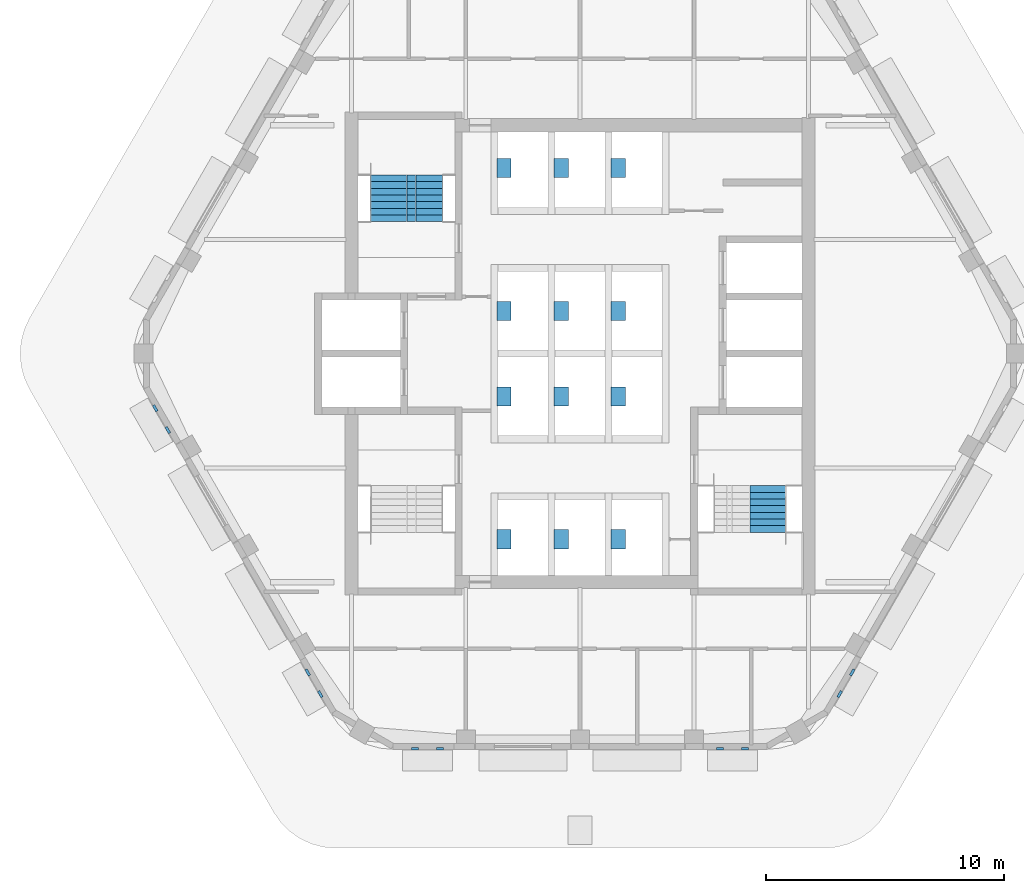
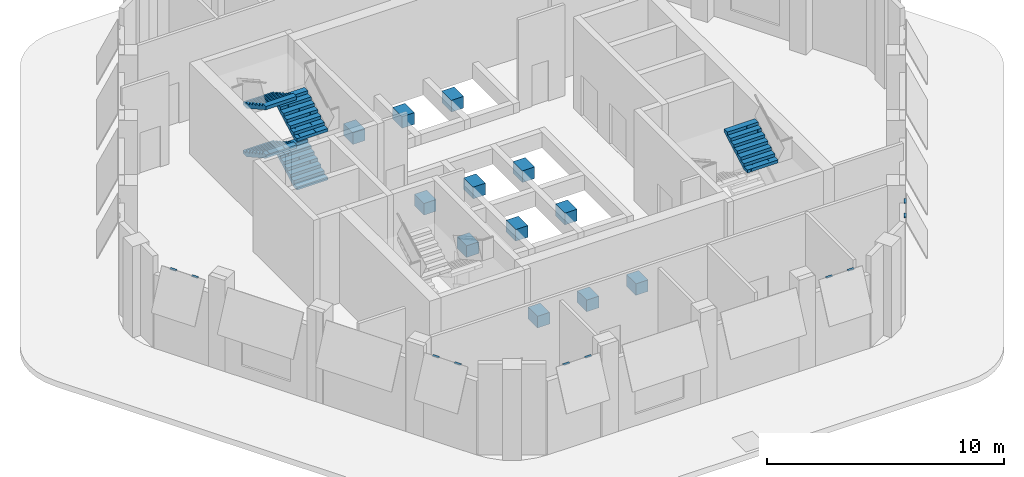
# One storey, part 7 of 9: 22 discrete accessories, 5 stair flights, 2 elements without a shape of their own.
"""IFC4 building model written with IfcOpenShell, lengths in metres."""

from ifc_helpers import new_model, si_unit, direction, frame, origin, origin_2d, place, context, subcontext, project, spatial, polyline, rectangle, outline, extrude, material, type_object, element, aggregate, save


model = new_model("IFC4")

# Units and contexts
model_context = context("Model", 3, precision=1e-05, world=origin(), true_north=direction((0.0, 1.0)))
body_context = subcontext(model_context, "Body", "Model", "MODEL_VIEW")
ifc_project = project(units=[si_unit("LENGTHUNIT", "METRE"), si_unit("AREAUNIT", "SQUARE_METRE"), si_unit("VOLUMEUNIT", "CUBIC_METRE"), si_unit("PLANEANGLEUNIT", "RADIAN"), si_unit("MASSUNIT", "GRAM", prefix="KILO")], contexts=[model_context])

# Site, building, storey
site_placement = place(None, origin())
site = spatial("IfcSite", under=ifc_project, at=site_placement, CompositionType="ELEMENT")
building_placement = place(site_placement, origin())
building = spatial("IfcBuilding", under=site, at=building_placement, Name="Kolab Exchange Tower", CompositionType="ELEMENT")
storey_placement = place(building_placement, frame((0.0, 0.0, 296.89990234375)))
storey = spatial("IfcBuildingStorey", under=building, at=storey_placement, Name="L67", CompositionType="ELEMENT", Elevation=296.89990234375)

# Stair, stair flights
ifc_material = material(Name="Concrete C50/60", Category="concrete")
stair_type_1 = type_object("IfcStairType", Name="STAIR ST1 RISER 156.2", PredefinedType="DOUBLE_RETURN_STAIR", material=ifc_material)
stair_1_placement = place(storey_placement, origin())
stair_1 = element("IfcStair", 1, at=stair_1_placement, inside=storey, type_object=stair_type_1, Name="Stair 1", PredefinedType="DOUBLE_RETURN_STAIR")
stair_flight_type = type_object("IfcStairFlightType", Name="STAIR FLIGHT 1500 RISER 156.2", PredefinedType="STRAIGHT", material=ifc_material)
stair_flight_1_placement = place(storey_placement, frame((-6.527587890625, 5.550048828125, 0.0), z_axis=(0.0, 0.0, 1.0), x_axis=(0.0, 1.0, 0.0)))
stair_flight_1 = element("IfcStairFlight", 2, at=stair_flight_1_placement, type_object=stair_flight_type, Name="ST1 flight 1", NumberOfRisers=8, NumberOfTreads=7, PredefinedType="STRAIGHT", RiserHeight=0.15625, TreadLength=0.28, context=body_context, shape_type="SweptSolid", body=[
    extrude(outline(polyline([(0.0, 0.0), (0.0, 0.15625), (0.280029296875, 0.15625), (0.280029296875, 0.3125), (0.56005859375, 0.3125), (0.56005859375, 0.46875), (0.840087890625, 0.46875), (0.840087890625, 0.625), (1.1201171875, 0.625), (1.1201171875, 0.78125), (1.39990234375, 0.78125), (1.39990234375, 0.9375), (1.679931640625, 0.9375), (1.679931640625, 1.09375), (1.9599609375, 1.09375), (1.9599609375, 1.25), (1.9599609375, 0.922119140625), (0.3076171875, 0.0), (0.0, 0.0)])), frame((0.0, 0.75, 0.0), z_axis=(0.0, -1.0, 0.0), x_axis=(1.0, 0.0, 0.0)), (0.0, 0.0, 1.0), 0.185791015625),
    extrude(outline(polyline([(0.0, 0.0), (0.0, 0.15625), (0.280029296875, 0.15625), (0.280029296875, 0.3125), (0.56005859375, 0.3125), (0.56005859375, 0.46875), (0.840087890625, 0.46875), (0.840087890625, 0.625), (1.1201171875, 0.625), (1.1201171875, 0.78125), (1.39990234375, 0.78125), (1.39990234375, 0.9375), (1.679931640625, 0.9375), (1.679931640625, 1.09375), (1.9599609375, 1.09375), (1.9599609375, 1.25), (1.9599609375, 0.922119140625), (0.3076171875, 0.0), (0.0, 0.0)])), frame((0.0, 0.562255859375, 0.0), z_axis=(0.0, -1.0, 0.0), x_axis=(1.0, 0.0, 0.0)), (0.0, 0.0, 1.0), 0.185791015625),
    extrude(outline(polyline([(0.0, 0.0), (0.0, 0.15625), (0.280029296875, 0.15625), (0.280029296875, 0.3125), (0.56005859375, 0.3125), (0.56005859375, 0.46875), (0.840087890625, 0.46875), (0.840087890625, 0.625), (1.1201171875, 0.625), (1.1201171875, 0.78125), (1.39990234375, 0.78125), (1.39990234375, 0.9375), (1.679931640625, 0.9375), (1.679931640625, 1.09375), (1.9599609375, 1.09375), (1.9599609375, 1.25), (1.9599609375, 0.922119140625), (0.3076171875, 0.0), (0.0, 0.0)])), frame((0.0, 0.37451171875, 0.0), z_axis=(0.0, -1.0, 0.0), x_axis=(1.0, 0.0, 0.0)), (0.0, 0.0, 1.0), 0.185791015625),
    extrude(outline(polyline([(0.0, 0.0), (0.0, 0.15625), (0.280029296875, 0.15625), (0.280029296875, 0.3125), (0.56005859375, 0.3125), (0.56005859375, 0.46875), (0.840087890625, 0.46875), (0.840087890625, 0.625), (1.1201171875, 0.625), (1.1201171875, 0.78125), (1.39990234375, 0.78125), (1.39990234375, 0.9375), (1.679931640625, 0.9375), (1.679931640625, 1.09375), (1.9599609375, 1.09375), (1.9599609375, 1.25), (1.9599609375, 0.922119140625), (0.3076171875, 0.0), (0.0, 0.0)])), frame((0.0, 0.186767578125, 0.0), z_axis=(0.0, -1.0, 0.0), x_axis=(1.0, 0.0, 0.0)), (0.0, 0.0, 1.0), 0.185791015625),
    extrude(outline(polyline([(0.0, 0.0), (0.0, 0.15625), (0.280029296875, 0.15625), (0.280029296875, 0.3125), (0.56005859375, 0.3125), (0.56005859375, 0.46875), (0.840087890625, 0.46875), (0.840087890625, 0.625), (1.1201171875, 0.625), (1.1201171875, 0.78125), (1.39990234375, 0.78125), (1.39990234375, 0.9375), (1.679931640625, 0.9375), (1.679931640625, 1.09375), (1.9599609375, 1.09375), (1.9599609375, 1.25), (1.9599609375, 0.922119140625), (0.3076171875, 0.0), (0.0, 0.0)])), frame((0.0, -0.0009765625, 0.0), z_axis=(0.0, -1.0, 0.0), x_axis=(1.0, 0.0, 0.0)), (0.0, 0.0, 1.0), 0.185791015625),
    extrude(outline(polyline([(0.0, 0.0), (0.0, 0.15625), (0.280029296875, 0.15625), (0.280029296875, 0.3125), (0.56005859375, 0.3125), (0.56005859375, 0.46875), (0.840087890625, 0.46875), (0.840087890625, 0.625), (1.1201171875, 0.625), (1.1201171875, 0.78125), (1.39990234375, 0.78125), (1.39990234375, 0.9375), (1.679931640625, 0.9375), (1.679931640625, 1.09375), (1.9599609375, 1.09375), (1.9599609375, 1.25), (1.9599609375, 0.922119140625), (0.3076171875, 0.0), (0.0, 0.0)])), frame((0.0, -0.188720703125, 0.0), z_axis=(0.0, -1.0, 0.0), x_axis=(1.0, 0.0, 0.0)), (0.0, 0.0, 1.0), 0.185791015625),
    extrude(outline(polyline([(0.0, 0.0), (0.0, 0.15625), (0.280029296875, 0.15625), (0.280029296875, 0.3125), (0.56005859375, 0.3125), (0.56005859375, 0.46875), (0.840087890625, 0.46875), (0.840087890625, 0.625), (1.1201171875, 0.625), (1.1201171875, 0.78125), (1.39990234375, 0.78125), (1.39990234375, 0.9375), (1.679931640625, 0.9375), (1.679931640625, 1.09375), (1.9599609375, 1.09375), (1.9599609375, 1.25), (1.9599609375, 0.922119140625), (0.3076171875, 0.0), (0.0, 0.0)])), frame((0.0, -0.37646484375, 0.0), z_axis=(0.0, -1.0, 0.0), x_axis=(1.0, 0.0, 0.0)), (0.0, 0.0, 1.0), 0.185791015625),
    extrude(outline(polyline([(0.0, 0.0), (0.0, 0.15625), (0.280029296875, 0.15625), (0.280029296875, 0.3125), (0.56005859375, 0.3125), (0.56005859375, 0.46875), (0.840087890625, 0.46875), (0.840087890625, 0.625), (1.1201171875, 0.625), (1.1201171875, 0.78125), (1.39990234375, 0.78125), (1.39990234375, 0.9375), (1.679931640625, 0.9375), (1.679931640625, 1.09375), (1.9599609375, 1.09375), (1.9599609375, 1.25), (1.9599609375, 0.922119140625), (0.3076171875, 0.0), (0.0, 0.0)])), frame((0.0, -0.564208984375, 0.0), z_axis=(0.0, -1.0, 0.0), x_axis=(1.0, 0.0, 0.0)), (0.0, 0.0, 1.0), 0.185791015625),
])
stair_flight_2_placement = place(storey_placement, frame((-8.047607421875, 7.510009765625, 1.25), z_axis=(0.0, 0.0, 1.0), x_axis=(0.0, -1.0, 0.0)))
stair_flight_2 = element("IfcStairFlight", 3, at=stair_flight_2_placement, type_object=stair_flight_type, Name="ST1 flight 2", NumberOfRisers=8, NumberOfTreads=7, PredefinedType="STRAIGHT", RiserHeight=0.15625, TreadLength=0.28, context=body_context, shape_type="SweptSolid", body=[
    extrude(outline(polyline([(0.0, 0.0), (0.0, 0.15625), (0.280029296875, 0.15625), (0.280029296875, 0.3125), (0.56005859375, 0.3125), (0.56005859375, 0.46875), (0.840087890625, 0.46875), (0.840087890625, 0.625), (1.1201171875, 0.625), (1.1201171875, 0.78125), (1.39990234375, 0.78125), (1.39990234375, 0.9375), (1.679931640625, 0.9375), (1.679931640625, 1.09375), (1.9599609375, 1.09375), (1.9599609375, 1.25), (1.9599609375, 0.922119140625), (0.3076171875, 0.0), (0.0, 0.0)])), frame((0.0, 0.75, 0.0), z_axis=(0.0, -1.0, 0.0), x_axis=(1.0, 0.0, 0.0)), (0.0, 0.0, 1.0), 0.185791015625),
    extrude(outline(polyline([(0.0, 0.0), (0.0, 0.15625), (0.280029296875, 0.15625), (0.280029296875, 0.3125), (0.56005859375, 0.3125), (0.56005859375, 0.46875), (0.840087890625, 0.46875), (0.840087890625, 0.625), (1.1201171875, 0.625), (1.1201171875, 0.78125), (1.39990234375, 0.78125), (1.39990234375, 0.9375), (1.679931640625, 0.9375), (1.679931640625, 1.09375), (1.9599609375, 1.09375), (1.9599609375, 1.25), (1.9599609375, 0.922119140625), (0.3076171875, 0.0), (0.0, 0.0)])), frame((0.0, 0.562255859375, 0.0), z_axis=(0.0, -1.0, 0.0), x_axis=(1.0, 0.0, 0.0)), (0.0, 0.0, 1.0), 0.185791015625),
    extrude(outline(polyline([(0.0, 0.0), (0.0, 0.15625), (0.280029296875, 0.15625), (0.280029296875, 0.3125), (0.56005859375, 0.3125), (0.56005859375, 0.46875), (0.840087890625, 0.46875), (0.840087890625, 0.625), (1.1201171875, 0.625), (1.1201171875, 0.78125), (1.39990234375, 0.78125), (1.39990234375, 0.9375), (1.679931640625, 0.9375), (1.679931640625, 1.09375), (1.9599609375, 1.09375), (1.9599609375, 1.25), (1.9599609375, 0.922119140625), (0.3076171875, 0.0), (0.0, 0.0)])), frame((0.0, 0.37451171875, 0.0), z_axis=(0.0, -1.0, 0.0), x_axis=(1.0, 0.0, 0.0)), (0.0, 0.0, 1.0), 0.185791015625),
    extrude(outline(polyline([(0.0, 0.0), (0.0, 0.15625), (0.280029296875, 0.15625), (0.280029296875, 0.3125), (0.56005859375, 0.3125), (0.56005859375, 0.46875), (0.840087890625, 0.46875), (0.840087890625, 0.625), (1.1201171875, 0.625), (1.1201171875, 0.78125), (1.39990234375, 0.78125), (1.39990234375, 0.9375), (1.679931640625, 0.9375), (1.679931640625, 1.09375), (1.9599609375, 1.09375), (1.9599609375, 1.25), (1.9599609375, 0.922119140625), (0.3076171875, 0.0), (0.0, 0.0)])), frame((0.0, 0.186767578125, 0.0), z_axis=(0.0, -1.0, 0.0), x_axis=(1.0, 0.0, 0.0)), (0.0, 0.0, 1.0), 0.185791015625),
    extrude(outline(polyline([(0.0, 0.0), (0.0, 0.15625), (0.280029296875, 0.15625), (0.280029296875, 0.3125), (0.56005859375, 0.3125), (0.56005859375, 0.46875), (0.840087890625, 0.46875), (0.840087890625, 0.625), (1.1201171875, 0.625), (1.1201171875, 0.78125), (1.39990234375, 0.78125), (1.39990234375, 0.9375), (1.679931640625, 0.9375), (1.679931640625, 1.09375), (1.9599609375, 1.09375), (1.9599609375, 1.25), (1.9599609375, 0.922119140625), (0.3076171875, 0.0), (0.0, 0.0)])), frame((0.0, -0.0009765625, 0.0), z_axis=(0.0, -1.0, 0.0), x_axis=(1.0, 0.0, 0.0)), (0.0, 0.0, 1.0), 0.185791015625),
    extrude(outline(polyline([(0.0, 0.0), (0.0, 0.15625), (0.280029296875, 0.15625), (0.280029296875, 0.3125), (0.56005859375, 0.3125), (0.56005859375, 0.46875), (0.840087890625, 0.46875), (0.840087890625, 0.625), (1.1201171875, 0.625), (1.1201171875, 0.78125), (1.39990234375, 0.78125), (1.39990234375, 0.9375), (1.679931640625, 0.9375), (1.679931640625, 1.09375), (1.9599609375, 1.09375), (1.9599609375, 1.25), (1.9599609375, 0.922119140625), (0.3076171875, 0.0), (0.0, 0.0)])), frame((0.0, -0.188720703125, 0.0), z_axis=(0.0, -1.0, 0.0), x_axis=(1.0, 0.0, 0.0)), (0.0, 0.0, 1.0), 0.185791015625),
    extrude(outline(polyline([(0.0, 0.0), (0.0, 0.15625), (0.280029296875, 0.15625), (0.280029296875, 0.3125), (0.56005859375, 0.3125), (0.56005859375, 0.46875), (0.840087890625, 0.46875), (0.840087890625, 0.625), (1.1201171875, 0.625), (1.1201171875, 0.78125), (1.39990234375, 0.78125), (1.39990234375, 0.9375), (1.679931640625, 0.9375), (1.679931640625, 1.09375), (1.9599609375, 1.09375), (1.9599609375, 1.25), (1.9599609375, 0.922119140625), (0.3076171875, 0.0), (0.0, 0.0)])), frame((0.0, -0.37646484375, 0.0), z_axis=(0.0, -1.0, 0.0), x_axis=(1.0, 0.0, 0.0)), (0.0, 0.0, 1.0), 0.185791015625),
    extrude(outline(polyline([(0.0, 0.0), (0.0, 0.15625), (0.280029296875, 0.15625), (0.280029296875, 0.3125), (0.56005859375, 0.3125), (0.56005859375, 0.46875), (0.840087890625, 0.46875), (0.840087890625, 0.625), (1.1201171875, 0.625), (1.1201171875, 0.78125), (1.39990234375, 0.78125), (1.39990234375, 0.9375), (1.679931640625, 0.9375), (1.679931640625, 1.09375), (1.9599609375, 1.09375), (1.9599609375, 1.25), (1.9599609375, 0.922119140625), (0.3076171875, 0.0), (0.0, 0.0)])), frame((0.0, -0.564208984375, 0.0), z_axis=(0.0, -1.0, 0.0), x_axis=(1.0, 0.0, 0.0)), (0.0, 0.0, 1.0), 0.185791015625),
])
stair_flight_3_placement = place(storey_placement, frame((-6.527587890625, 5.550048828125, 2.5), z_axis=(0.0, 0.0, 1.0), x_axis=(0.0, 1.0, 0.0)))
stair_flight_3 = element("IfcStairFlight", 4, at=stair_flight_3_placement, type_object=stair_flight_type, Name="ST1 flight 3", NumberOfRisers=8, NumberOfTreads=7, PredefinedType="STRAIGHT", RiserHeight=0.15625, TreadLength=0.28, context=body_context, shape_type="SweptSolid", body=[
    extrude(outline(polyline([(0.0, 0.0), (0.0, 0.15625), (0.280029296875, 0.15625), (0.280029296875, 0.3125), (0.56005859375, 0.3125), (0.56005859375, 0.46875), (0.840087890625, 0.46875), (0.840087890625, 0.625), (1.1201171875, 0.625), (1.1201171875, 0.78125), (1.39990234375, 0.78125), (1.39990234375, 0.9375), (1.679931640625, 0.9375), (1.679931640625, 1.09375), (1.9599609375, 1.09375), (1.9599609375, 1.25), (1.9599609375, 0.922119140625), (0.3076171875, 0.0), (0.0, 0.0)])), frame((0.0, 0.75, 0.0), z_axis=(0.0, -1.0, 0.0), x_axis=(1.0, 0.0, 0.0)), (0.0, 0.0, 1.0), 0.185791015625),
    extrude(outline(polyline([(0.0, 0.0), (0.0, 0.15625), (0.280029296875, 0.15625), (0.280029296875, 0.3125), (0.56005859375, 0.3125), (0.56005859375, 0.46875), (0.840087890625, 0.46875), (0.840087890625, 0.625), (1.1201171875, 0.625), (1.1201171875, 0.78125), (1.39990234375, 0.78125), (1.39990234375, 0.9375), (1.679931640625, 0.9375), (1.679931640625, 1.09375), (1.9599609375, 1.09375), (1.9599609375, 1.25), (1.9599609375, 0.922119140625), (0.3076171875, 0.0), (0.0, 0.0)])), frame((0.0, 0.562255859375, 0.0), z_axis=(0.0, -1.0, 0.0), x_axis=(1.0, 0.0, 0.0)), (0.0, 0.0, 1.0), 0.185791015625),
    extrude(outline(polyline([(0.0, 0.0), (0.0, 0.15625), (0.280029296875, 0.15625), (0.280029296875, 0.3125), (0.56005859375, 0.3125), (0.56005859375, 0.46875), (0.840087890625, 0.46875), (0.840087890625, 0.625), (1.1201171875, 0.625), (1.1201171875, 0.78125), (1.39990234375, 0.78125), (1.39990234375, 0.9375), (1.679931640625, 0.9375), (1.679931640625, 1.09375), (1.9599609375, 1.09375), (1.9599609375, 1.25), (1.9599609375, 0.922119140625), (0.3076171875, 0.0), (0.0, 0.0)])), frame((0.0, 0.37451171875, 0.0), z_axis=(0.0, -1.0, 0.0), x_axis=(1.0, 0.0, 0.0)), (0.0, 0.0, 1.0), 0.185791015625),
    extrude(outline(polyline([(0.0, 0.0), (0.0, 0.15625), (0.280029296875, 0.15625), (0.280029296875, 0.3125), (0.56005859375, 0.3125), (0.56005859375, 0.46875), (0.840087890625, 0.46875), (0.840087890625, 0.625), (1.1201171875, 0.625), (1.1201171875, 0.78125), (1.39990234375, 0.78125), (1.39990234375, 0.9375), (1.679931640625, 0.9375), (1.679931640625, 1.09375), (1.9599609375, 1.09375), (1.9599609375, 1.25), (1.9599609375, 0.922119140625), (0.3076171875, 0.0), (0.0, 0.0)])), frame((0.0, 0.186767578125, 0.0), z_axis=(0.0, -1.0, 0.0), x_axis=(1.0, 0.0, 0.0)), (0.0, 0.0, 1.0), 0.185791015625),
    extrude(outline(polyline([(0.0, 0.0), (0.0, 0.15625), (0.280029296875, 0.15625), (0.280029296875, 0.3125), (0.56005859375, 0.3125), (0.56005859375, 0.46875), (0.840087890625, 0.46875), (0.840087890625, 0.625), (1.1201171875, 0.625), (1.1201171875, 0.78125), (1.39990234375, 0.78125), (1.39990234375, 0.9375), (1.679931640625, 0.9375), (1.679931640625, 1.09375), (1.9599609375, 1.09375), (1.9599609375, 1.25), (1.9599609375, 0.922119140625), (0.3076171875, 0.0), (0.0, 0.0)])), frame((0.0, -0.0009765625, 0.0), z_axis=(0.0, -1.0, 0.0), x_axis=(1.0, 0.0, 0.0)), (0.0, 0.0, 1.0), 0.185791015625),
    extrude(outline(polyline([(0.0, 0.0), (0.0, 0.15625), (0.280029296875, 0.15625), (0.280029296875, 0.3125), (0.56005859375, 0.3125), (0.56005859375, 0.46875), (0.840087890625, 0.46875), (0.840087890625, 0.625), (1.1201171875, 0.625), (1.1201171875, 0.78125), (1.39990234375, 0.78125), (1.39990234375, 0.9375), (1.679931640625, 0.9375), (1.679931640625, 1.09375), (1.9599609375, 1.09375), (1.9599609375, 1.25), (1.9599609375, 0.922119140625), (0.3076171875, 0.0), (0.0, 0.0)])), frame((0.0, -0.188720703125, 0.0), z_axis=(0.0, -1.0, 0.0), x_axis=(1.0, 0.0, 0.0)), (0.0, 0.0, 1.0), 0.185791015625),
    extrude(outline(polyline([(0.0, 0.0), (0.0, 0.15625), (0.280029296875, 0.15625), (0.280029296875, 0.3125), (0.56005859375, 0.3125), (0.56005859375, 0.46875), (0.840087890625, 0.46875), (0.840087890625, 0.625), (1.1201171875, 0.625), (1.1201171875, 0.78125), (1.39990234375, 0.78125), (1.39990234375, 0.9375), (1.679931640625, 0.9375), (1.679931640625, 1.09375), (1.9599609375, 1.09375), (1.9599609375, 1.25), (1.9599609375, 0.922119140625), (0.3076171875, 0.0), (0.0, 0.0)])), frame((0.0, -0.37646484375, 0.0), z_axis=(0.0, -1.0, 0.0), x_axis=(1.0, 0.0, 0.0)), (0.0, 0.0, 1.0), 0.185791015625),
    extrude(outline(polyline([(0.0, 0.0), (0.0, 0.15625), (0.280029296875, 0.15625), (0.280029296875, 0.3125), (0.56005859375, 0.3125), (0.56005859375, 0.46875), (0.840087890625, 0.46875), (0.840087890625, 0.625), (1.1201171875, 0.625), (1.1201171875, 0.78125), (1.39990234375, 0.78125), (1.39990234375, 0.9375), (1.679931640625, 0.9375), (1.679931640625, 1.09375), (1.9599609375, 1.09375), (1.9599609375, 1.25), (1.9599609375, 0.922119140625), (0.3076171875, 0.0), (0.0, 0.0)])), frame((0.0, -0.564208984375, 0.0), z_axis=(0.0, -1.0, 0.0), x_axis=(1.0, 0.0, 0.0)), (0.0, 0.0, 1.0), 0.185791015625),
])
stair_flight_4_placement = place(storey_placement, frame((-8.047607421875, 7.510009765625, 3.75), z_axis=(0.0, 0.0, 1.0), x_axis=(0.0, -1.0, 0.0)))
stair_flight_4 = element("IfcStairFlight", 5, at=stair_flight_4_placement, type_object=stair_flight_type, Name="ST1 flight 4", NumberOfRisers=8, NumberOfTreads=7, PredefinedType="STRAIGHT", RiserHeight=0.15625, TreadLength=0.28, context=body_context, shape_type="SweptSolid", body=[
    extrude(outline(polyline([(0.0, 0.0), (0.0, 0.15625), (0.280029296875, 0.15625), (0.280029296875, 0.3125), (0.56005859375, 0.3125), (0.56005859375, 0.46875), (0.840087890625, 0.46875), (0.840087890625, 0.625), (1.1201171875, 0.625), (1.1201171875, 0.78125), (1.39990234375, 0.78125), (1.39990234375, 0.9375), (1.679931640625, 0.9375), (1.679931640625, 1.09375), (1.9599609375, 1.09375), (1.9599609375, 1.25), (1.9599609375, 0.922119140625), (0.3076171875, 0.0), (0.0, 0.0)])), frame((0.0, 0.75, 0.0), z_axis=(0.0, -1.0, 0.0), x_axis=(1.0, 0.0, 0.0)), (0.0, 0.0, 1.0), 0.185791015625),
    extrude(outline(polyline([(0.0, 0.0), (0.0, 0.15625), (0.280029296875, 0.15625), (0.280029296875, 0.3125), (0.56005859375, 0.3125), (0.56005859375, 0.46875), (0.840087890625, 0.46875), (0.840087890625, 0.625), (1.1201171875, 0.625), (1.1201171875, 0.78125), (1.39990234375, 0.78125), (1.39990234375, 0.9375), (1.679931640625, 0.9375), (1.679931640625, 1.09375), (1.9599609375, 1.09375), (1.9599609375, 1.25), (1.9599609375, 0.922119140625), (0.3076171875, 0.0), (0.0, 0.0)])), frame((0.0, 0.562255859375, 0.0), z_axis=(0.0, -1.0, 0.0), x_axis=(1.0, 0.0, 0.0)), (0.0, 0.0, 1.0), 0.185791015625),
    extrude(outline(polyline([(0.0, 0.0), (0.0, 0.15625), (0.280029296875, 0.15625), (0.280029296875, 0.3125), (0.56005859375, 0.3125), (0.56005859375, 0.46875), (0.840087890625, 0.46875), (0.840087890625, 0.625), (1.1201171875, 0.625), (1.1201171875, 0.78125), (1.39990234375, 0.78125), (1.39990234375, 0.9375), (1.679931640625, 0.9375), (1.679931640625, 1.09375), (1.9599609375, 1.09375), (1.9599609375, 1.25), (1.9599609375, 0.922119140625), (0.3076171875, 0.0), (0.0, 0.0)])), frame((0.0, 0.37451171875, 0.0), z_axis=(0.0, -1.0, 0.0), x_axis=(1.0, 0.0, 0.0)), (0.0, 0.0, 1.0), 0.185791015625),
    extrude(outline(polyline([(0.0, 0.0), (0.0, 0.15625), (0.280029296875, 0.15625), (0.280029296875, 0.3125), (0.56005859375, 0.3125), (0.56005859375, 0.46875), (0.840087890625, 0.46875), (0.840087890625, 0.625), (1.1201171875, 0.625), (1.1201171875, 0.78125), (1.39990234375, 0.78125), (1.39990234375, 0.9375), (1.679931640625, 0.9375), (1.679931640625, 1.09375), (1.9599609375, 1.09375), (1.9599609375, 1.25), (1.9599609375, 0.922119140625), (0.3076171875, 0.0), (0.0, 0.0)])), frame((0.0, 0.186767578125, 0.0), z_axis=(0.0, -1.0, 0.0), x_axis=(1.0, 0.0, 0.0)), (0.0, 0.0, 1.0), 0.185791015625),
    extrude(outline(polyline([(0.0, 0.0), (0.0, 0.15625), (0.280029296875, 0.15625), (0.280029296875, 0.3125), (0.56005859375, 0.3125), (0.56005859375, 0.46875), (0.840087890625, 0.46875), (0.840087890625, 0.625), (1.1201171875, 0.625), (1.1201171875, 0.78125), (1.39990234375, 0.78125), (1.39990234375, 0.9375), (1.679931640625, 0.9375), (1.679931640625, 1.09375), (1.9599609375, 1.09375), (1.9599609375, 1.25), (1.9599609375, 0.922119140625), (0.3076171875, 0.0), (0.0, 0.0)])), frame((0.0, -0.0009765625, 0.0), z_axis=(0.0, -1.0, 0.0), x_axis=(1.0, 0.0, 0.0)), (0.0, 0.0, 1.0), 0.185791015625),
    extrude(outline(polyline([(0.0, 0.0), (0.0, 0.15625), (0.280029296875, 0.15625), (0.280029296875, 0.3125), (0.56005859375, 0.3125), (0.56005859375, 0.46875), (0.840087890625, 0.46875), (0.840087890625, 0.625), (1.1201171875, 0.625), (1.1201171875, 0.78125), (1.39990234375, 0.78125), (1.39990234375, 0.9375), (1.679931640625, 0.9375), (1.679931640625, 1.09375), (1.9599609375, 1.09375), (1.9599609375, 1.25), (1.9599609375, 0.922119140625), (0.3076171875, 0.0), (0.0, 0.0)])), frame((0.0, -0.188720703125, 0.0), z_axis=(0.0, -1.0, 0.0), x_axis=(1.0, 0.0, 0.0)), (0.0, 0.0, 1.0), 0.185791015625),
    extrude(outline(polyline([(0.0, 0.0), (0.0, 0.15625), (0.280029296875, 0.15625), (0.280029296875, 0.3125), (0.56005859375, 0.3125), (0.56005859375, 0.46875), (0.840087890625, 0.46875), (0.840087890625, 0.625), (1.1201171875, 0.625), (1.1201171875, 0.78125), (1.39990234375, 0.78125), (1.39990234375, 0.9375), (1.679931640625, 0.9375), (1.679931640625, 1.09375), (1.9599609375, 1.09375), (1.9599609375, 1.25), (1.9599609375, 0.922119140625), (0.3076171875, 0.0), (0.0, 0.0)])), frame((0.0, -0.37646484375, 0.0), z_axis=(0.0, -1.0, 0.0), x_axis=(1.0, 0.0, 0.0)), (0.0, 0.0, 1.0), 0.185791015625),
    extrude(outline(polyline([(0.0, 0.0), (0.0, 0.15625), (0.280029296875, 0.15625), (0.280029296875, 0.3125), (0.56005859375, 0.3125), (0.56005859375, 0.46875), (0.840087890625, 0.46875), (0.840087890625, 0.625), (1.1201171875, 0.625), (1.1201171875, 0.78125), (1.39990234375, 0.78125), (1.39990234375, 0.9375), (1.679931640625, 0.9375), (1.679931640625, 1.09375), (1.9599609375, 1.09375), (1.9599609375, 1.25), (1.9599609375, 0.922119140625), (0.3076171875, 0.0), (0.0, 0.0)])), frame((0.0, -0.564208984375, 0.0), z_axis=(0.0, -1.0, 0.0), x_axis=(1.0, 0.0, 0.0)), (0.0, 0.0, 1.0), 0.185791015625),
])
aggregate(stair_1, [stair_flight_1, stair_flight_2, stair_flight_3, stair_flight_4])

# Stair, stair flight
stair_type_2 = type_object("IfcStairType", Name="STAIR ST2 RISER 156.2", PredefinedType="DOUBLE_RETURN_STAIR", material=ifc_material)
stair_2_placement = place(storey_placement, origin())
stair_2 = element("IfcStair", 6, at=stair_2_placement, inside=storey, type_object=stair_type_2, Name="Stair 2", PredefinedType="DOUBLE_RETURN_STAIR")
stair_flight_5_placement = place(storey_placement, frame((7.8974609375, -7.510009765625, 3.75), z_axis=(0.0, 0.0, 1.0), x_axis=(0.0, 1.0, 0.0)))
stair_flight_5 = element("IfcStairFlight", 7, at=stair_flight_5_placement, type_object=stair_flight_type, Name="ST2 flight 4", NumberOfRisers=8, NumberOfTreads=7, PredefinedType="STRAIGHT", RiserHeight=0.15625, TreadLength=0.28, context=body_context, shape_type="SweptSolid", body=[
    extrude(outline(polyline([(0.0, 0.0), (0.0, 0.15625), (0.280029296875, 0.15625), (0.280029296875, 0.3125), (0.56005859375, 0.3125), (0.56005859375, 0.46875), (0.840087890625, 0.46875), (0.840087890625, 0.625), (1.1201171875, 0.625), (1.1201171875, 0.78125), (1.39990234375, 0.78125), (1.39990234375, 0.9375), (1.679931640625, 0.9375), (1.679931640625, 1.09375), (1.9599609375, 1.09375), (1.9599609375, 1.25), (1.9599609375, 0.922119140625), (0.3076171875, 0.0), (0.0, 0.0)])), frame((0.0, 0.75, 0.0), z_axis=(0.0, -1.0, 0.0), x_axis=(1.0, 0.0, 0.0)), (0.0, 0.0, 1.0), 0.185791015625),
    extrude(outline(polyline([(0.0, 0.0), (0.0, 0.15625), (0.280029296875, 0.15625), (0.280029296875, 0.3125), (0.56005859375, 0.3125), (0.56005859375, 0.46875), (0.840087890625, 0.46875), (0.840087890625, 0.625), (1.1201171875, 0.625), (1.1201171875, 0.78125), (1.39990234375, 0.78125), (1.39990234375, 0.9375), (1.679931640625, 0.9375), (1.679931640625, 1.09375), (1.9599609375, 1.09375), (1.9599609375, 1.25), (1.9599609375, 0.922119140625), (0.3076171875, 0.0), (0.0, 0.0)])), frame((0.0, 0.562255859375, 0.0), z_axis=(0.0, -1.0, 0.0), x_axis=(1.0, 0.0, 0.0)), (0.0, 0.0, 1.0), 0.185791015625),
    extrude(outline(polyline([(0.0, 0.0), (0.0, 0.15625), (0.280029296875, 0.15625), (0.280029296875, 0.3125), (0.56005859375, 0.3125), (0.56005859375, 0.46875), (0.840087890625, 0.46875), (0.840087890625, 0.625), (1.1201171875, 0.625), (1.1201171875, 0.78125), (1.39990234375, 0.78125), (1.39990234375, 0.9375), (1.679931640625, 0.9375), (1.679931640625, 1.09375), (1.9599609375, 1.09375), (1.9599609375, 1.25), (1.9599609375, 0.922119140625), (0.3076171875, 0.0), (0.0, 0.0)])), frame((0.0, 0.37451171875, 0.0), z_axis=(0.0, -1.0, 0.0), x_axis=(1.0, 0.0, 0.0)), (0.0, 0.0, 1.0), 0.185791015625),
    extrude(outline(polyline([(0.0, 0.0), (0.0, 0.15625), (0.280029296875, 0.15625), (0.280029296875, 0.3125), (0.56005859375, 0.3125), (0.56005859375, 0.46875), (0.840087890625, 0.46875), (0.840087890625, 0.625), (1.1201171875, 0.625), (1.1201171875, 0.78125), (1.39990234375, 0.78125), (1.39990234375, 0.9375), (1.679931640625, 0.9375), (1.679931640625, 1.09375), (1.9599609375, 1.09375), (1.9599609375, 1.25), (1.9599609375, 0.922119140625), (0.3076171875, 0.0), (0.0, 0.0)])), frame((0.0, 0.186767578125, 0.0), z_axis=(0.0, -1.0, 0.0), x_axis=(1.0, 0.0, 0.0)), (0.0, 0.0, 1.0), 0.185791015625),
    extrude(outline(polyline([(0.0, 0.0), (0.0, 0.15625), (0.280029296875, 0.15625), (0.280029296875, 0.3125), (0.56005859375, 0.3125), (0.56005859375, 0.46875), (0.840087890625, 0.46875), (0.840087890625, 0.625), (1.1201171875, 0.625), (1.1201171875, 0.78125), (1.39990234375, 0.78125), (1.39990234375, 0.9375), (1.679931640625, 0.9375), (1.679931640625, 1.09375), (1.9599609375, 1.09375), (1.9599609375, 1.25), (1.9599609375, 0.922119140625), (0.3076171875, 0.0), (0.0, 0.0)])), frame((0.0, -0.0009765625, 0.0), z_axis=(0.0, -1.0, 0.0), x_axis=(1.0, 0.0, 0.0)), (0.0, 0.0, 1.0), 0.185791015625),
    extrude(outline(polyline([(0.0, 0.0), (0.0, 0.15625), (0.280029296875, 0.15625), (0.280029296875, 0.3125), (0.56005859375, 0.3125), (0.56005859375, 0.46875), (0.840087890625, 0.46875), (0.840087890625, 0.625), (1.1201171875, 0.625), (1.1201171875, 0.78125), (1.39990234375, 0.78125), (1.39990234375, 0.9375), (1.679931640625, 0.9375), (1.679931640625, 1.09375), (1.9599609375, 1.09375), (1.9599609375, 1.25), (1.9599609375, 0.922119140625), (0.3076171875, 0.0), (0.0, 0.0)])), frame((0.0, -0.188720703125, 0.0), z_axis=(0.0, -1.0, 0.0), x_axis=(1.0, 0.0, 0.0)), (0.0, 0.0, 1.0), 0.185791015625),
    extrude(outline(polyline([(0.0, 0.0), (0.0, 0.15625), (0.280029296875, 0.15625), (0.280029296875, 0.3125), (0.56005859375, 0.3125), (0.56005859375, 0.46875), (0.840087890625, 0.46875), (0.840087890625, 0.625), (1.1201171875, 0.625), (1.1201171875, 0.78125), (1.39990234375, 0.78125), (1.39990234375, 0.9375), (1.679931640625, 0.9375), (1.679931640625, 1.09375), (1.9599609375, 1.09375), (1.9599609375, 1.25), (1.9599609375, 0.922119140625), (0.3076171875, 0.0), (0.0, 0.0)])), frame((0.0, -0.37646484375, 0.0), z_axis=(0.0, -1.0, 0.0), x_axis=(1.0, 0.0, 0.0)), (0.0, 0.0, 1.0), 0.185791015625),
    extrude(outline(polyline([(0.0, 0.0), (0.0, 0.15625), (0.280029296875, 0.15625), (0.280029296875, 0.3125), (0.56005859375, 0.3125), (0.56005859375, 0.46875), (0.840087890625, 0.46875), (0.840087890625, 0.625), (1.1201171875, 0.625), (1.1201171875, 0.78125), (1.39990234375, 0.78125), (1.39990234375, 0.9375), (1.679931640625, 0.9375), (1.679931640625, 1.09375), (1.9599609375, 1.09375), (1.9599609375, 1.25), (1.9599609375, 0.922119140625), (0.3076171875, 0.0), (0.0, 0.0)])), frame((0.0, -0.564208984375, 0.0), z_axis=(0.0, -1.0, 0.0), x_axis=(1.0, 0.0, 0.0)), (0.0, 0.0, 1.0), 0.185791015625),
])
aggregate(stair_2, [stair_flight_5])

# Discrete accessories
for number, where, z_axis, x_axis, name in (
    (8, (-3.18994140625, 7.800048828125, -0.099853515625), (0.0, 0.0, 1.0), (1.0, 0.0, 0.0), "Lift machine HR1"),
    (9, (-0.7900390625, 7.800048828125, -0.099853515625), (0.0, 0.0, 1.0), (1.0, 0.0, 0.0), "Lift machine HR2"),
    (10, (1.610107421875, 7.800048828125, -0.099853515625), (0.0, 0.0, 1.0), (1.0, 0.0, 0.0), "Lift machine HR3"),
    (11, (-3.18994140625, 1.800048828125, -0.099853515625), (0.0, 0.0, 1.0), (1.0, 0.0, 0.0), "Lift machine HR4"),
    (12, (-0.7900390625, 1.800048828125, -0.099853515625), (0.0, 0.0, 1.0), (1.0, 0.0, 0.0), "Lift machine HR5"),
    (13, (1.610107421875, 1.800048828125, -0.099853515625), (0.0, 0.0, 1.0), (1.0, 0.0, 0.0), "Lift machine HR6"),
    (14, (-3.18994140625, -1.800048828125, -0.099853515625), (0.0, 0.0, 1.0), (1.0, 0.0, 0.0), "Lift machine HR7"),
    (15, (-0.7900390625, -1.800048828125, -0.099853515625), (0.0, 0.0, 1.0), (1.0, 0.0, 0.0), "Lift machine HR8"),
    (16, (1.610107421875, -1.800048828125, -0.099853515625), (0.0, 0.0, 1.0), (1.0, 0.0, 0.0), "Lift machine HR9"),
    (17, (-3.18994140625, -7.800048828125, -0.099853515625), (0.0, 0.0, 1.0), (1.0, 0.0, 0.0), "Lift machine HR10"),
    (18, (-0.7900390625, -7.800048828125, -0.099853515625), (0.0, 0.0, 1.0), (1.0, 0.0, 0.0), "Lift machine HR11"),
    (19, (1.610107421875, -7.800048828125, -0.099853515625), (0.0, 0.0, 1.0), (1.0, 0.0, 0.0), "Lift machine HR12"),
):
    element("IfcDiscreteAccessory", number, at=place(storey_placement, frame(where, z_axis=z_axis, x_axis=x_axis)), inside=storey, Name=name, ObjectType="LIFT MACHINE", PredefinedType="USERDEFINED", context=body_context, shape_type="SweptSolid", body=[
        extrude(rectangle(XDim=0.60009765625, YDim=0.800048828125, at=origin_2d()), origin(), (0.0, 0.0, 1.0), 0.60009765625),
    ])
discrete_accessory_1_placement = place(storey_placement, frame((10.86572265625, -14.28515625, 4.3701171875), z_axis=(0.86673862023, -0.498762633125, 0.0), x_axis=(0.498762633125, 0.86673862023, 0.0)))
element("IfcDiscreteAccessory", 20, at=discrete_accessory_1_placement, inside=storey, Name="Panel cleat", ObjectType="PANEL CLEAT", PredefinedType="USERDEFINED", context=body_context, shape_type="SweptSolid", body=[
    extrude(rectangle(XDim=0.300048828125, YDim=0.0400390625, at=origin_2d()), origin(), (0.0, 0.0, 1.0), 0.110107421875),
])
discrete_accessory_2_placement = place(storey_placement, frame((11.395263671875, -13.3681640625, 4.3701171875), z_axis=(0.866185586049, -0.49972245349, 0.0), x_axis=(0.49972245349, 0.866185586049, 0.0)))
element("IfcDiscreteAccessory", 21, at=discrete_accessory_2_placement, inside=storey, Name="Panel cleat", ObjectType="PANEL CLEAT", PredefinedType="USERDEFINED", context=body_context, shape_type="SweptSolid", body=[
    extrude(rectangle(XDim=0.300048828125, YDim=0.0400390625, at=origin_2d()), origin(), (0.0, 0.0, 1.0), 0.10986328125),
])
for number, where, z_axis, x_axis, name in (
    (22, (5.87939453125, -16.552490234375, 4.3701171875), (0.0, -1.0, 0.0), (1.0, 0.0, 0.0), "Panel cleat"),
    (23, (6.9384765625, -16.552490234375, 4.3701171875), (0.0, -1.0, 0.0), (1.0, 0.0, 0.0), "Panel cleat"),
    (24, (-6.9384765625, -16.552490234375, 4.3701171875), (0.0, -1.0, 0.0), (1.0, 0.0, 0.0), "Panel cleat"),
    (25, (-5.87939453125, -16.552490234375, 4.3701171875), (0.0, -1.0, 0.0), (1.0, 0.0, 0.0), "Panel cleat"),
):
    element("IfcDiscreteAccessory", number, at=place(storey_placement, frame(where, z_axis=z_axis, x_axis=x_axis)), inside=storey, Name=name, ObjectType="PANEL CLEAT", PredefinedType="USERDEFINED", context=body_context, shape_type="SweptSolid", body=[
        extrude(rectangle(XDim=0.300048828125, YDim=0.0400390625, at=origin_2d()), origin(), (0.0, 0.0, 1.0), 0.110107421875),
    ])
discrete_accessory_3_placement = place(storey_placement, frame((-11.395263671875, -13.3681640625, 4.3701171875), z_axis=(-0.866185586049, -0.49972245349, 0.0), x_axis=(0.49972245349, -0.866185586049, 0.0)))
element("IfcDiscreteAccessory", 26, at=discrete_accessory_3_placement, inside=storey, Name="Panel cleat", ObjectType="PANEL CLEAT", PredefinedType="USERDEFINED", context=body_context, shape_type="SweptSolid", body=[
    extrude(rectangle(XDim=0.300048828125, YDim=0.0400390625, at=origin_2d()), origin(), (0.0, 0.0, 1.0), 0.10986328125),
])
discrete_accessory_4_placement = place(storey_placement, frame((-10.86572265625, -14.28515625, 4.3701171875), z_axis=(-0.86673862023, -0.498762633125, 0.0), x_axis=(0.498762633125, -0.86673862023, 0.0)))
element("IfcDiscreteAccessory", 27, at=discrete_accessory_4_placement, inside=storey, Name="Panel cleat", ObjectType="PANEL CLEAT", PredefinedType="USERDEFINED", context=body_context, shape_type="SweptSolid", body=[
    extrude(rectangle(XDim=0.300048828125, YDim=0.0400390625, at=origin_2d()), origin(), (0.0, 0.0, 1.0), 0.110107421875),
])
discrete_accessory_5_placement = place(storey_placement, frame((-17.80419921875, -2.267333984375, 4.3701171875), z_axis=(-0.865779801825, -0.500425153996, 0.0), x_axis=(0.500425153996, -0.865779801825, 0.0)))
element("IfcDiscreteAccessory", 28, at=discrete_accessory_5_placement, inside=storey, Name="Panel cleat", ObjectType="PANEL CLEAT", PredefinedType="USERDEFINED", context=body_context, shape_type="SweptSolid", body=[
    extrude(rectangle(XDim=0.300048828125, YDim=0.0400390625, at=origin_2d()), origin(), (0.0, 0.0, 1.0), 0.1103515625),
])
discrete_accessory_6_placement = place(storey_placement, frame((-17.27490234375, -3.1845703125, 4.3701171875), z_axis=(-0.866185586049, -0.49972245349, 0.0), x_axis=(0.49972245349, -0.866185586049, 0.0)))
element("IfcDiscreteAccessory", 29, at=discrete_accessory_6_placement, inside=storey, Name="Panel cleat", ObjectType="PANEL CLEAT", PredefinedType="USERDEFINED", context=body_context, shape_type="SweptSolid", body=[
    extrude(rectangle(XDim=0.300048828125, YDim=0.0400390625, at=origin_2d()), origin(), (0.0, 0.0, 1.0), 0.10986328125),
])

save(model, "model.ifc")
